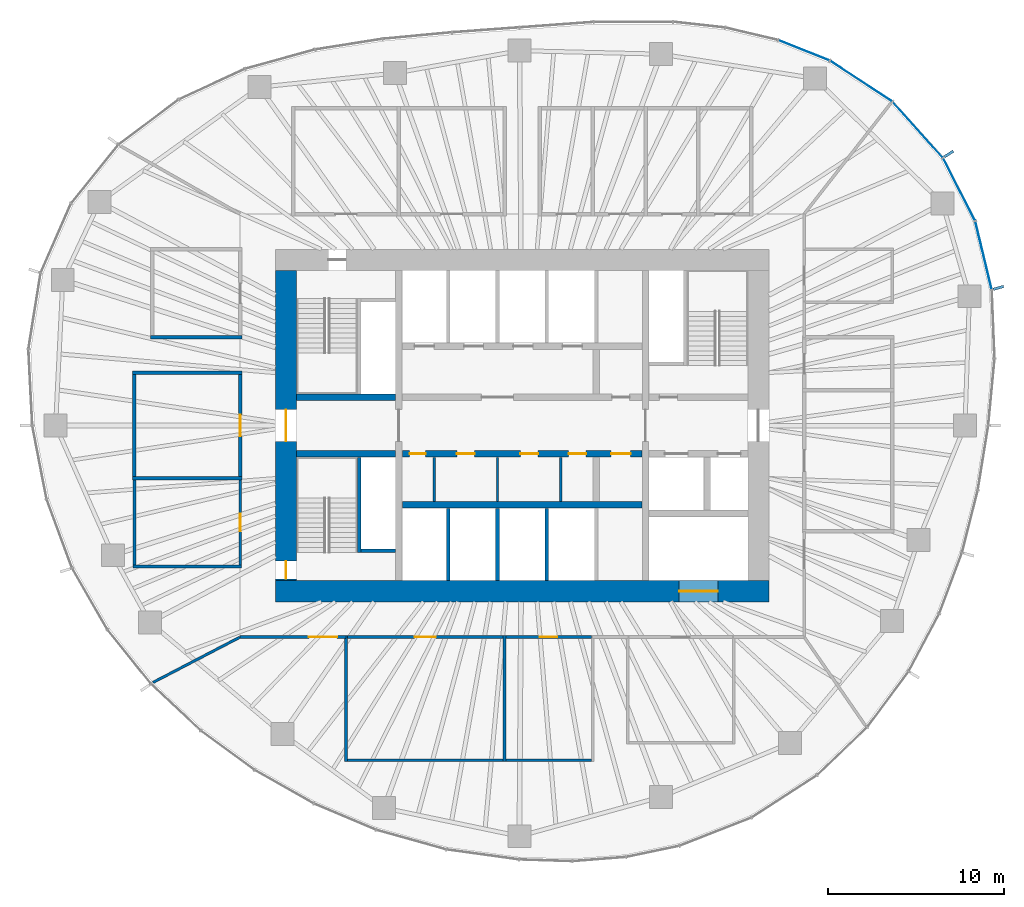
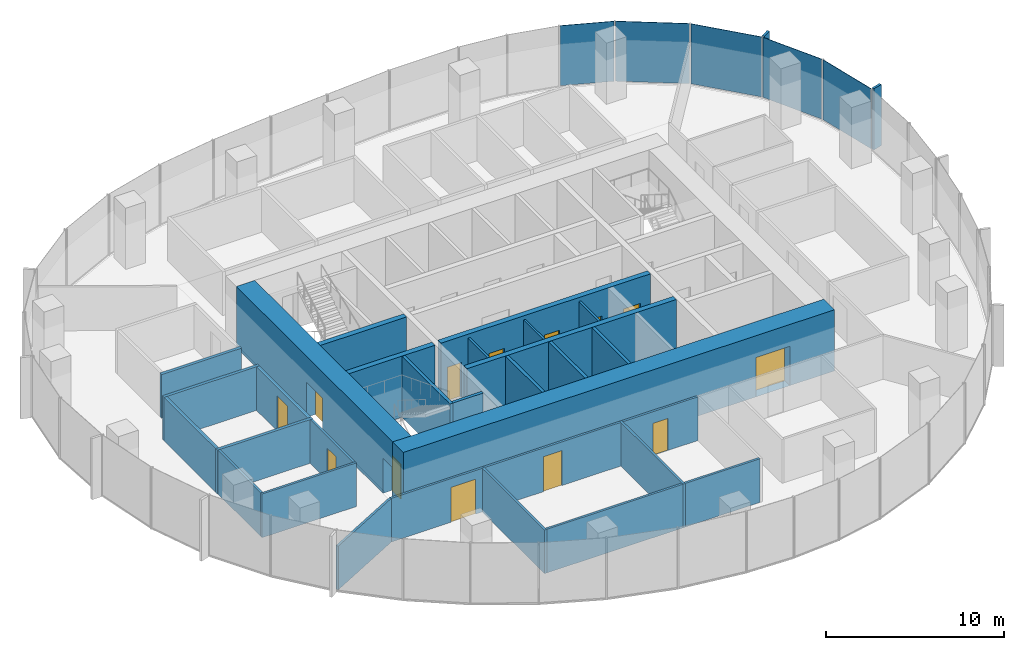
# One storey, part 8 of 11: 30 walls, 13 doors, 7 plates, 13 openings, 3 elements without a shape of their own.
"""IFC4 building model written with IfcOpenShell, lengths in metres."""

from ifc_helpers import new_model, si_unit, direction, frame, frame_2d, origin, origin_2d, place, context, subcontext, project, spatial, rectangle, extrude, material, layer, layer_set, type_object, element, fill, aggregate, save


model = new_model("IFC4")

# Units and contexts
model_context = context("Model", 3, precision=1e-05, world=origin(), true_north=direction((0.0, 1.0)))
body_context = subcontext(model_context, "Body", "Model", "MODEL_VIEW")
ifc_project = project(units=[si_unit("LENGTHUNIT", "METRE"), si_unit("AREAUNIT", "SQUARE_METRE"), si_unit("VOLUMEUNIT", "CUBIC_METRE"), si_unit("PLANEANGLEUNIT", "RADIAN"), si_unit("MASSUNIT", "GRAM", prefix="KILO")], contexts=[model_context])

# Site, building, storey
site_placement = place(None, origin())
site = spatial("IfcSite", under=ifc_project, at=site_placement, CompositionType="ELEMENT")
building_placement = place(site_placement, origin())
building = spatial("IfcBuilding", under=site, at=building_placement, Name="Ghaith Harvest Tower", CompositionType="ELEMENT")
storey_placement = place(building_placement, frame((0.0, 0.0, 211.60009765625)))
storey = spatial("IfcBuildingStorey", under=building, at=storey_placement, Name="L46", CompositionType="ELEMENT", Elevation=211.60009765625)

# Curtain wall, plates
ifc_material_1 = material(Name="Black anodised aluminium and fritted glass", Category="aluminium")
curtain_wall_type = type_object("IfcCurtainWallType", Name="CW-H CURTAIN WALL", PredefinedType="NOTDEFINED", material=ifc_material_1)
curtain_wall_1_placement = place(storey_placement, origin())
curtain_wall_1 = element("IfcCurtainWall", 1, at=curtain_wall_1_placement, inside=storey, type_object=curtain_wall_type, Name="Curtain wall CW-H bay 02 L46", PredefinedType="NOTDEFINED")
ifc_material_2 = material(Name="Glass, dark solar-control fritted double glazed unit", Category="glass")
ifc_layer_1 = layer(ifc_material_2, 0.030029296875)
ifc_layer_set_1 = layer_set([ifc_layer_1], Name="CW-H VISION PANEL")
plate_type_1 = type_object("IfcPlateType", Name="CW-H VISION PANEL", PredefinedType="CURTAIN_PANEL", material=ifc_layer_set_1)
plate_1_placement = place(storey_placement, frame((26.1767578125, 9.6533203125, 0.079833984375), z_axis=(0.0, 0.0, 1.0), x_axis=(-0.233894000303, 0.972262102842, 0.0)))
plate_1 = element("IfcPlate", 2, at=plate_1_placement, type_object=plate_type_1, Name="CW-H glass unit 1 bay 02 L46", PredefinedType="CURTAIN_PANEL", context=body_context, shape_type="SweptSolid", body=[
    extrude(rectangle(XDim=3.935546875, YDim=0.030029296875, at=origin_2d()), origin(), (0.0, 0.0, 1.0), 4.1201171875),
])
plate_2_placement = place(storey_placement, frame((24.790771484375, 13.399658203125, 0.079833984375), z_axis=(0.0, 0.0, 1.0), x_axis=(-0.454915320985, 0.890534699342, 0.0)))
plate_2 = element("IfcPlate", 3, at=plate_2_placement, type_object=plate_type_1, Name="CW-H glass unit 2 bay 02 L46", PredefinedType="CURTAIN_PANEL", context=body_context, shape_type="SweptSolid", body=[
    extrude(rectangle(XDim=3.949462890625, YDim=0.030029296875, at=origin_2d()), origin(), (0.0, 0.0, 1.0), 4.1201171875),
])
aggregate(curtain_wall_1, [plate_1, plate_2])

curtain_wall_2_placement = place(storey_placement, origin())
curtain_wall_2 = element("IfcCurtainWall", 4, at=curtain_wall_2_placement, inside=storey, type_object=curtain_wall_type, Name="Curtain wall CW-H bay 03 L46", PredefinedType="NOTDEFINED")
plate_3_placement = place(storey_placement, frame((22.44384765625, 16.783935546875, 0.079833984375), z_axis=(0.0, 0.0, 1.0), x_axis=(-0.668757736889, 0.743480389352, 0.0)))
plate_3 = element("IfcPlate", 5, at=plate_3_placement, type_object=plate_type_1, Name="CW-H glass unit 1 bay 03 L46", PredefinedType="CURTAIN_PANEL", context=body_context, shape_type="SweptSolid", body=[
    extrude(rectangle(XDim=4.19775390625, YDim=0.030029296875, at=origin_2d()), origin(), (0.0, 0.0, 1.0), 4.1201171875),
])
plate_4_placement = place(storey_placement, frame((19.236328125, 19.539306640625, 0.079833984375), z_axis=(0.0, 0.0, 1.0), x_axis=(-0.836276741583, 0.548307588392, 0.0)))
plate_4 = element("IfcPlate", 6, at=plate_4_placement, type_object=plate_type_1, Name="CW-H glass unit 2 bay 03 L46", PredefinedType="CURTAIN_PANEL", context=body_context, shape_type="SweptSolid", body=[
    extrude(rectangle(XDim=4.169677734375, YDim=0.030029296875, at=origin_2d()), origin(), (0.0, 0.0, 1.0), 4.1201171875),
])
aggregate(curtain_wall_2, [plate_3, plate_4])

# Curtain wall, plate
curtain_wall_3_placement = place(storey_placement, origin())
curtain_wall_3 = element("IfcCurtainWall", 7, at=curtain_wall_3_placement, inside=storey, type_object=curtain_wall_type, Name="Curtain wall CW-H bay 04 L46", PredefinedType="NOTDEFINED")
plate_5_placement = place(storey_placement, frame((15.993408203125, 21.287841796875, 0.079833984375), z_axis=(0.0, 0.0, 1.0), x_axis=(-0.929107322045, 0.369810200133, 0.0)))
plate_5 = element("IfcPlate", 8, at=plate_5_placement, type_object=plate_type_1, Name="CW-H glass unit 1 bay 04 L46", PredefinedType="CURTAIN_PANEL", context=body_context, shape_type="SweptSolid", body=[
    extrude(rectangle(XDim=3.075927734375, YDim=0.030029296875, at=origin_2d()), origin(), (0.0, 0.0, 1.0), 4.1201171875),
])
aggregate(curtain_wall_3, [plate_5])

# Plates
ifc_material_3 = material(Name="Glassfibre-reinforced concrete", Category="concrete")
ifc_layer_2 = layer(ifc_material_3, 0.14990234375)
ifc_layer_set_2 = layer_set([ifc_layer_2], Name="SUN-BREAKER FIN 600x150")
plate_type_2 = type_object("IfcPlateType", Name="SUN-BREAKER FIN 600x150", PredefinedType="USERDEFINED", material=ifc_layer_set_2)
for number, where, z_axis, x_axis, name in (
    (9, (27.03076171875, 7.8125, 0.0), (0.0, 0.0, 1.0), (0.960680349985, 0.277656739792, 0.0), "Sun-breaker fin CW-H 1 bay 02 L46"),
    (10, (24.211669921875, 15.408447265625, 0.0), (0.0, 0.0, 1.0), (0.843643971464, 0.536903016766, 0.0), "Sun-breaker fin CW-H 1 bay 03 L46"),
):
    element("IfcPlate", number, at=place(storey_placement, frame(where, z_axis=z_axis, x_axis=x_axis)), inside=storey, type_object=plate_type_2, Name=name, ObjectType="SUN-BREAKER FIN", PredefinedType="USERDEFINED", context=body_context, shape_type="SweptSolid", body=[
        extrude(rectangle(XDim=0.60009765625, YDim=0.14990234375, at=origin_2d()), origin(), (0.0, 0.0, 1.0), 4.199951171875),
    ])

# Walls
ifc_material_4 = material(Name="Twin-stud gypsum board, acoustic", Category="gypsum")
ifc_layer_3 = layer(ifc_material_4, 0.199951171875)
ifc_layer_set_3 = layer_set([ifc_layer_3], Name="ACOUSTIC PARTITION 200")
wall_type_1 = type_object("IfcWallType", Name="ACOUSTIC PARTITION 200", PredefinedType="PARTITIONING", material=ifc_layer_set_3)
for number, where, z_axis, x_axis, name in (
    (11, (-15.89990234375, -3.0, 0.0), (0.0, 0.0, 1.0), (-1.0, 0.0, 0.0), "Partition L46 row W6 cross wall 2"),
    (12, (-15.89990234375, 3.0, 0.0), (0.0, 0.0, 1.0), (-1.0, 0.0, 0.0), "Partition L46 row W6 cross wall 3"),
):
    element("IfcWall", number, at=place(storey_placement, frame(where, z_axis=z_axis, x_axis=x_axis)), inside=storey, type_object=wall_type_1, Name=name, PredefinedType="PARTITIONING", context=body_context, shape_type="SweptSolid", body=[
        extrude(rectangle(XDim=6.2001953125, YDim=0.199951171875, at=frame_2d((3.10009765625, 0.0))), origin(), (0.0, 0.0, 1.0), 3.0),
    ])

# Wall, opening, door
wall_1_placement = place(storey_placement, frame((-16.0, -2.89990234375, 0.0), z_axis=(0.0, 0.0, 1.0), x_axis=(0.0, 1.0, 0.0)))
wall_1 = element("IfcWall", 13, at=wall_1_placement, inside=storey, type_object=wall_type_1, Name="Partition L46-13", PredefinedType="PARTITIONING", context=body_context, shape_type="SweptSolid", body=[
    extrude(rectangle(XDim=5.7998046875, YDim=0.199951171875, at=frame_2d((2.89990234375, 0.0))), origin(), (0.0, 0.0, 1.0), 3.0),
])
opening_1_placement = place(wall_1_placement, frame((2.300048828125, 0.0, 0.0)))
opening_1 = element("IfcOpeningElement", 14, at=opening_1_placement, cuts=wall_1, Name="Opening 46-034", PredefinedType="OPENING", context=body_context, shape_type="SweptSolid", body=[
    extrude(rectangle(XDim=1.199951171875, YDim=2.39990234375, at=frame_2d((0.60009765625, 1.199951171875))), frame((0.0, 0.10986328125, 0.0), z_axis=(0.0, -1.0, 0.0), x_axis=(1.0, 0.0, 0.0)), (0.0, 0.0, 1.0), 0.219970703125),
])
ifc_material_5 = material(Name="Timber door", Category="wood")
door_type_1 = type_object("IfcDoorType", Name="D11 GLAZED 1200x2400", OperationType="SINGLE_SWING_LEFT", PredefinedType="DOOR", material=ifc_material_5)
door_1_placement = place(opening_1_placement, origin())
door_1 = element("IfcDoor", 15, at=door_1_placement, inside=storey, type_object=door_type_1, Name="Meeting room door", OperationType="SINGLE_SWING_LEFT", OverallHeight=2.39990234375, OverallWidth=1.199951171875, PredefinedType="DOOR", context=body_context, shape_type="SweptSolid", body=[
    extrude(rectangle(XDim=1.199951171875, YDim=2.39990234375, at=frame_2d((0.60009765625, 1.199951171875))), frame((0.0, 0.02490234375, 0.0), z_axis=(0.0, -1.0, 0.0), x_axis=(1.0, 0.0, 0.0)), (0.0, 0.0, 1.0), 0.050048828125),
])
fill(opening_1, door_1)

# Walls
wall_2_placement = place(storey_placement, frame((-22.0, -2.89990234375, 0.0), z_axis=(0.0, 0.0, 1.0), x_axis=(0.0, 1.0, 0.0)))
element("IfcWall", 16, at=wall_2_placement, inside=storey, type_object=wall_type_1, Name="Partition L46-13", PredefinedType="PARTITIONING", context=body_context, shape_type="SweptSolid", body=[
    extrude(rectangle(XDim=5.7998046875, YDim=0.199951171875, at=frame_2d((2.89990234375, 0.0))), origin(), (0.0, 0.0, 1.0), 3.0),
])
wall_3_placement = place(storey_placement, frame((-15.89990234375, 5.0, 0.0), z_axis=(0.0, 0.0, 1.0), x_axis=(-1.0, 0.0, 0.0)))
element("IfcWall", 17, at=wall_3_placement, inside=storey, type_object=wall_type_1, Name="Partition L46 row W8 cross wall 1", PredefinedType="PARTITIONING", context=body_context, shape_type="SweptSolid", body=[
    extrude(rectangle(XDim=5.2001953125, YDim=0.199951171875, at=frame_2d((2.60009765625, 0.0))), origin(), (0.0, 0.0, 1.0), 3.0),
])
ifc_material_6 = material(Name="Concrete blockwork, fair-faced", Category="masonry")
ifc_layer_4 = layer(ifc_material_6, 0.139892578125)
ifc_layer_set_4 = layer_set([ifc_layer_4], Name="CORE PARTITION 140")
wall_type_2 = type_object("IfcWallType", Name="CORE PARTITION 140", PredefinedType="PARTITIONING", material=ifc_layer_set_4)
for number, where, z_axis, x_axis, name in (
    (18, (-5.0, -1.800048828125, 0.0), (0.0, 0.0, 1.0), (0.0, -1.0, 0.0), "Core partition L46"),
    (19, (-1.39990234375, -1.800048828125, 0.0), (0.0, 0.0, 1.0), (0.0, -1.0, 0.0), "Core partition L46"),
    (20, (2.199951171875, -1.800048828125, 0.0), (0.0, 0.0, 1.0), (0.0, -1.0, 0.0), "Core partition L46"),
):
    element("IfcWall", number, at=place(storey_placement, frame(where, z_axis=z_axis, x_axis=x_axis)), inside=storey, type_object=wall_type_2, Name=name, PredefinedType="PARTITIONING", context=body_context, shape_type="SweptSolid", body=[
        extrude(rectangle(XDim=2.5, YDim=0.139892578125, at=frame_2d((1.25, 0.0))), origin(), (0.0, 0.0, 1.0), 3.949951171875),
    ])

# Wall, opening, door
ifc_material_7 = material(Name="Concrete C60/75", Category="concrete")
ifc_layer_5 = layer(ifc_material_7, 1.199951171875)
ifc_layer_set_5 = layer_set([ifc_layer_5], Name="CORE WALL CW1200 C60")
wall_type_3 = type_object("IfcWallType", Name="CORE WALL CW1200 C60", PredefinedType="SHEAR", material=ifc_layer_set_5)
wall_4_placement = place(storey_placement, frame((-14.0, -9.39990234375, 0.0), z_axis=(0.0, 0.0, 1.0), x_axis=(1.0, 0.0, 0.0)))
wall_4 = element("IfcWall", 21, at=wall_4_placement, inside=storey, type_object=wall_type_3, Name="Core wall S L46", PredefinedType="SHEAR", context=body_context, shape_type="SweptSolid", body=[
    extrude(rectangle(XDim=28.0, YDim=1.199951171875, at=frame_2d((14.0, 0.0))), origin(), (0.0, 0.0, 1.0), 4.199951171875),
])
opening_2_placement = place(wall_4_placement, frame((22.89990234375, 0.0, 0.0)))
opening_2 = element("IfcOpeningElement", 22, at=opening_2_placement, cuts=wall_4, Name="Opening 46-021", PredefinedType="OPENING", context=body_context, shape_type="SweptSolid", body=[
    extrude(rectangle(XDim=2.199951171875, YDim=2.699951171875, at=frame_2d((1.10009765625, 1.35009765625))), frame((0.0, 0.60986328125, 0.0), z_axis=(0.0, -1.0, 0.0), x_axis=(1.0, 0.0, 0.0)), (0.0, 0.0, 1.0), 1.219970703125),
])
ifc_material_8 = material(Name="Steel fire door", Category="steel")
door_type_2 = type_object("IfcDoorType", Name="LD3 LANDING 2200x2700", OperationType="DOUBLE_DOOR_SLIDING", PredefinedType="DOOR", material=ifc_material_8)
door_2_placement = place(opening_2_placement, origin())
door_2 = element("IfcDoor", 23, at=door_2_placement, inside=storey, type_object=door_type_2, Name="Landing door, goods lift GL1", OperationType="DOUBLE_DOOR_SLIDING", OverallHeight=2.699951171875, OverallWidth=2.199951171875, PredefinedType="DOOR", context=body_context, shape_type="SweptSolid", body=[
    extrude(rectangle(XDim=2.199951171875, YDim=2.699951171875, at=frame_2d((1.10009765625, 1.35009765625))), frame((0.0, 0.02490234375, 0.0), z_axis=(0.0, -1.0, 0.0), x_axis=(1.0, 0.0, 0.0)), (0.0, 0.0, 1.0), 0.050048828125),
])
fill(opening_2, door_2)

# Wall, openings, doors
wall_5_placement = place(storey_placement, frame((-13.39990234375, 8.800048828125, 0.0), z_axis=(0.0, 0.0, 1.0), x_axis=(0.0, -1.0, 0.0)))
wall_5 = element("IfcWall", 24, at=wall_5_placement, inside=storey, type_object=wall_type_3, Name="Core wall W L46", PredefinedType="SHEAR", context=body_context, shape_type="SweptSolid", body=[
    extrude(rectangle(XDim=17.60009765625, YDim=1.199951171875, at=frame_2d((8.800048828125, 0.0))), origin(), (0.0, 0.0, 1.0), 4.199951171875),
])
opening_3_placement = place(wall_5_placement, frame((7.89990234375, 0.0, 0.0)))
opening_3 = element("IfcOpeningElement", 25, at=opening_3_placement, cuts=wall_5, Name="Opening 46-001", PredefinedType="OPENING", context=body_context, shape_type="SweptSolid", body=[
    extrude(rectangle(XDim=1.800048828125, YDim=2.39990234375, at=frame_2d((0.89990234375, 1.199951171875))), frame((0.0, 0.60986328125, 0.0), z_axis=(0.0, -1.0, 0.0), x_axis=(1.0, 0.0, 0.0)), (0.0, 0.0, 1.0), 1.219970703125),
])
opening_4_placement = place(wall_5_placement, frame((16.5, 0.0, 0.0)))
opening_4 = element("IfcOpeningElement", 26, at=opening_4_placement, cuts=wall_5, Name="Opening 46-006", PredefinedType="OPENING", context=body_context, shape_type="SweptSolid", body=[
    extrude(rectangle(XDim=1.0, YDim=2.39990234375, at=frame_2d((0.5, 1.199951171875))), frame((0.0, 0.60986328125, 0.0), z_axis=(0.0, -1.0, 0.0), x_axis=(1.0, 0.0, 0.0)), (0.0, 0.0, 1.0), 1.219970703125),
])
ifc_material_9 = material(Name="Steel fire door", Category="steel")
door_type_3 = type_object("IfcDoorType", Name="D3 FD90 1000x2400", OperationType="SINGLE_SWING_LEFT", PredefinedType="DOOR", material=ifc_material_9)
door_3_placement = place(opening_4_placement, origin())
door_3 = element("IfcDoor", 27, at=door_3_placement, inside=storey, type_object=door_type_3, Name="Stair ST3 door", OperationType="SINGLE_SWING_RIGHT", OverallHeight=2.39990234375, OverallWidth=1.0, PredefinedType="DOOR", context=body_context, shape_type="SweptSolid", body=[
    extrude(rectangle(XDim=1.0, YDim=2.39990234375, at=frame_2d((0.5, 1.199951171875))), frame((0.0, 0.02490234375, 0.0), z_axis=(0.0, -1.0, 0.0), x_axis=(1.0, 0.0, 0.0)), (0.0, 0.0, 1.0), 0.050048828125),
])
fill(opening_4, door_3)
ifc_material_10 = material(Name="Steel fire door", Category="steel")
door_type_4 = type_object("IfcDoorType", Name="D4 FD90 PAIR 1800x2400", OperationType="DOUBLE_DOOR_SINGLE_SWING", PredefinedType="DOOR", material=ifc_material_10)
door_4_placement = place(opening_3_placement, origin())
door_4 = element("IfcDoor", 28, at=door_4_placement, inside=storey, type_object=door_type_4, Name="West lobby doors", OperationType="DOUBLE_DOOR_SINGLE_SWING", OverallHeight=2.39990234375, OverallWidth=1.800048828125, PredefinedType="DOOR", context=body_context, shape_type="SweptSolid", body=[
    extrude(rectangle(XDim=1.800048828125, YDim=2.39990234375, at=frame_2d((0.89990234375, 1.199951171875))), frame((0.0, 0.02490234375, 0.0), z_axis=(0.0, -1.0, 0.0), x_axis=(1.0, 0.0, 0.0)), (0.0, 0.0, 1.0), 0.050048828125),
])
fill(opening_3, door_4)

# Walls
ifc_material_11 = material(Name="Concrete blockwork, 2-hour", Category="masonry")
ifc_layer_6 = layer(ifc_material_11, 0.199951171875)
ifc_layer_set_6 = layer_set([ifc_layer_6], Name="LIFT SHAFT WALL 200")
wall_type_4 = type_object("IfcWallType", Name="LIFT SHAFT WALL 200", PredefinedType="PARTITIONING", material=ifc_layer_set_6)
for number, where, z_axis, x_axis, name in (
    (29, (-4.199951171875, -4.699951171875, 0.0), (0.0, 0.0, 1.0), (0.0, -1.0, 0.0), "Lift shaft wall L46"),
    (30, (-1.39990234375, -4.699951171875, 0.0), (0.0, 0.0, 1.0), (0.0, -1.0, 0.0), "Lift shaft wall L46"),
    (31, (1.39990234375, -4.699951171875, 0.0), (0.0, 0.0, 1.0), (0.0, -1.0, 0.0), "Lift shaft wall L46"),
):
    element("IfcWall", number, at=place(storey_placement, frame(where, z_axis=z_axis, x_axis=x_axis)), inside=storey, type_object=wall_type_4, Name=name, PredefinedType="PARTITIONING", context=body_context, shape_type="SweptSolid", body=[
        extrude(rectangle(XDim=4.10009765625, YDim=0.199951171875, at=frame_2d((2.050048828125, 0.0))), origin(), (0.0, 0.0, 1.0), 4.199951171875),
    ])
ifc_material_12 = material(Name="Gypsum board on steel studs", Category="steel")
ifc_layer_7 = layer(ifc_material_12, 0.14990234375)
ifc_layer_set_7 = layer_set([ifc_layer_7], Name="PARTITION 150")
wall_type_5 = type_object("IfcWallType", Name="PARTITION 150", PredefinedType="PARTITIONING", material=ifc_layer_set_7)
for number, where, z_axis, x_axis, name in (
    (32, (-10.0, -11.925048828125, 0.0), (0.0, 0.0, 1.0), (0.0, -1.0, 0.0), "Partition L46 row S3 cross wall 1"),
    (33, (-1.0, -11.925048828125, 0.0), (0.0, 0.0, 1.0), (0.0, -1.0, 0.0), "Partition L46 row S3 cross wall 2"),
):
    element("IfcWall", number, at=place(storey_placement, frame(where, z_axis=z_axis, x_axis=x_axis)), inside=storey, type_object=wall_type_5, Name=name, PredefinedType="PARTITIONING", context=body_context, shape_type="SweptSolid", body=[
        extrude(rectangle(XDim=7.14990234375, YDim=0.14990234375, at=frame_2d((3.574951171875, 0.0))), origin(), (0.0, 0.0, 1.0), 3.0),
    ])

# Wall, opening, door
wall_6_placement = place(storey_placement, frame((-9.925048828125, -12.0, 0.0), z_axis=(0.0, 0.0, 1.0), x_axis=(1.0, 0.0, 0.0)))
wall_6 = element("IfcWall", 34, at=wall_6_placement, inside=storey, type_object=wall_type_5, Name="Partition L46-07", PredefinedType="PARTITIONING", context=body_context, shape_type="SweptSolid", body=[
    extrude(rectangle(XDim=8.85009765625, YDim=0.14990234375, at=frame_2d((4.425048828125, 0.0))), origin(), (0.0, 0.0, 1.0), 3.0),
])
opening_5_placement = place(wall_6_placement, frame((3.824951171875, 0.0, 0.0)))
opening_5 = element("IfcOpeningElement", 35, at=opening_5_placement, cuts=wall_6, Name="Opening 46-028", PredefinedType="OPENING", context=body_context, shape_type="SweptSolid", body=[
    extrude(rectangle(XDim=1.199951171875, YDim=2.39990234375, at=frame_2d((0.60009765625, 1.199951171875))), frame((0.0, 0.0849609375, 0.0), z_axis=(0.0, -1.0, 0.0), x_axis=(1.0, 0.0, 0.0)), (0.0, 0.0, 1.0), 0.169921875),
])
door_5_placement = place(opening_5_placement, origin())
door_5 = element("IfcDoor", 36, at=door_5_placement, inside=storey, type_object=door_type_1, Name="Model studio door", OperationType="SINGLE_SWING_LEFT", OverallHeight=2.39990234375, OverallWidth=1.199951171875, PredefinedType="DOOR", context=body_context, shape_type="SweptSolid", body=[
    extrude(rectangle(XDim=1.199951171875, YDim=2.39990234375, at=frame_2d((0.60009765625, 1.199951171875))), frame((0.0, 0.02490234375, 0.0), z_axis=(0.0, -1.0, 0.0), x_axis=(1.0, 0.0, 0.0)), (0.0, 0.0, 1.0), 0.050048828125),
])
fill(opening_5, door_5)

# Wall
wall_7_placement = place(storey_placement, frame((-9.925048828125, -19.0, 0.0), z_axis=(0.0, 0.0, 1.0), x_axis=(1.0, 0.0, 0.0)))
element("IfcWall", 37, at=wall_7_placement, inside=storey, type_object=wall_type_5, Name="Partition L46-07", PredefinedType="PARTITIONING", context=body_context, shape_type="SweptSolid", body=[
    extrude(rectangle(XDim=8.85009765625, YDim=0.14990234375, at=frame_2d((4.425048828125, 0.0))), origin(), (0.0, 0.0, 1.0), 3.0),
])

# Wall, opening, door
wall_8_placement = place(storey_placement, frame((-0.925048828125, -12.0, 0.0), z_axis=(0.0, 0.0, 1.0), x_axis=(1.0, 0.0, 0.0)))
wall_8 = element("IfcWall", 38, at=wall_8_placement, inside=storey, type_object=wall_type_5, Name="Partition L46-08", PredefinedType="PARTITIONING", context=body_context, shape_type="SweptSolid", body=[
    extrude(rectangle(XDim=4.85009765625, YDim=0.14990234375, at=frame_2d((2.425048828125, 0.0))), origin(), (0.0, 0.0, 1.0), 3.0),
])
opening_6_placement = place(wall_8_placement, frame((1.925048828125, 0.0, 0.0)))
opening_6 = element("IfcOpeningElement", 39, at=opening_6_placement, cuts=wall_8, Name="Opening 46-029", PredefinedType="OPENING", context=body_context, shape_type="SweptSolid", body=[
    extrude(rectangle(XDim=1.0, YDim=2.199951171875, at=frame_2d((0.5, 1.10009765625))), frame((0.0, 0.0849609375, 0.0), z_axis=(0.0, -1.0, 0.0), x_axis=(1.0, 0.0, 0.0)), (0.0, 0.0, 1.0), 0.169921875),
])
ifc_material_13 = material(Name="Timber door", Category="wood")
door_type_5 = type_object("IfcDoorType", Name="D1 SINGLE 1000x2200", OperationType="SINGLE_SWING_LEFT", PredefinedType="DOOR", material=ifc_material_13)
door_6_placement = place(opening_6_placement, origin())
door_6 = element("IfcDoor", 40, at=door_6_placement, inside=storey, type_object=door_type_5, Name="Store door", OperationType="SINGLE_SWING_LEFT", OverallHeight=2.199951171875, OverallWidth=1.0, PredefinedType="DOOR", context=body_context, shape_type="SweptSolid", body=[
    extrude(rectangle(XDim=1.0, YDim=2.199951171875, at=frame_2d((0.5, 1.10009765625))), frame((0.0, 0.02490234375, 0.0), z_axis=(0.0, -1.0, 0.0), x_axis=(1.0, 0.0, 0.0)), (0.0, 0.0, 1.0), 0.050048828125),
])
fill(opening_6, door_6)

# Walls
wall_9_placement = place(storey_placement, frame((-0.925048828125, -19.0, 0.0), z_axis=(0.0, 0.0, 1.0), x_axis=(1.0, 0.0, 0.0)))
element("IfcWall", 41, at=wall_9_placement, inside=storey, type_object=wall_type_5, Name="Partition L46-08", PredefinedType="PARTITIONING", context=body_context, shape_type="SweptSolid", body=[
    extrude(rectangle(XDim=4.85009765625, YDim=0.14990234375, at=frame_2d((2.425048828125, 0.0))), origin(), (0.0, 0.0, 1.0), 3.0),
])
wall_10_placement = place(storey_placement, frame((-15.925048828125, -8.0, 0.0), z_axis=(0.0, 0.0, 1.0), x_axis=(-1.0, 0.0, 0.0)))
element("IfcWall", 42, at=wall_10_placement, inside=storey, type_object=wall_type_5, Name="Partition L46 row W6 cross wall 1", PredefinedType="PARTITIONING", context=body_context, shape_type="SweptSolid", body=[
    extrude(rectangle(XDim=6.14990234375, YDim=0.14990234375, at=frame_2d((3.074951171875, 0.0))), origin(), (0.0, 0.0, 1.0), 3.0),
])

# Wall, opening, door
wall_11_placement = place(storey_placement, frame((-16.0, -7.925048828125, 0.0), z_axis=(0.0, 0.0, 1.0), x_axis=(0.0, 1.0, 0.0)))
wall_11 = element("IfcWall", 43, at=wall_11_placement, inside=storey, type_object=wall_type_5, Name="Partition L46-12", PredefinedType="PARTITIONING", context=body_context, shape_type="SweptSolid", body=[
    extrude(rectangle(XDim=4.824951171875, YDim=0.14990234375, at=frame_2d((2.41259765625, 0.0))), origin(), (0.0, 0.0, 1.0), 3.0),
])
opening_7_placement = place(wall_11_placement, frame((1.91259765625, 0.0, 0.0)))
opening_7 = element("IfcOpeningElement", 44, at=opening_7_placement, cuts=wall_11, Name="Opening 46-033", PredefinedType="OPENING", context=body_context, shape_type="SweptSolid", body=[
    extrude(rectangle(XDim=1.0, YDim=2.199951171875, at=frame_2d((0.5, 1.10009765625))), frame((0.0, 0.0849609375, 0.0), z_axis=(0.0, -1.0, 0.0), x_axis=(1.0, 0.0, 0.0)), (0.0, 0.0, 1.0), 0.169921875),
])
door_7_placement = place(opening_7_placement, origin())
door_7 = element("IfcDoor", 45, at=door_7_placement, inside=storey, type_object=door_type_5, Name="Print room door", OperationType="SINGLE_SWING_LEFT", OverallHeight=2.199951171875, OverallWidth=1.0, PredefinedType="DOOR", context=body_context, shape_type="SweptSolid", body=[
    extrude(rectangle(XDim=1.0, YDim=2.199951171875, at=frame_2d((0.5, 1.10009765625))), frame((0.0, 0.02490234375, 0.0), z_axis=(0.0, -1.0, 0.0), x_axis=(1.0, 0.0, 0.0)), (0.0, 0.0, 1.0), 0.050048828125),
])
fill(opening_7, door_7)

# Walls
wall_12_placement = place(storey_placement, frame((-22.0, -7.925048828125, 0.0), z_axis=(0.0, 0.0, 1.0), x_axis=(0.0, 1.0, 0.0)))
element("IfcWall", 46, at=wall_12_placement, inside=storey, type_object=wall_type_5, Name="Partition L46-12", PredefinedType="PARTITIONING", context=body_context, shape_type="SweptSolid", body=[
    extrude(rectangle(XDim=4.824951171875, YDim=0.14990234375, at=frame_2d((2.41259765625, 0.0))), origin(), (0.0, 0.0, 1.0), 3.0),
])
wall_13_placement = place(storey_placement, frame((-16.017578125, -12.00927734375, 0.0), z_axis=(0.0, 0.0, 1.0), x_axis=(-0.886831549241, -0.462092851351, 0.0)))
element("IfcWall", 47, at=wall_13_placement, inside=storey, type_object=wall_type_5, Name="Partition L46 zone division", PredefinedType="PARTITIONING", context=body_context, shape_type="SweptSolid", body=[
    extrude(rectangle(XDim=5.555419921875, YDim=0.14990234375, at=frame_2d((2.77783203125, 0.0))), origin(), (0.0, 0.0, 1.0), 3.0),
])

# Wall, opening, door
wall_14_placement = place(storey_placement, frame((-16.0, -12.0, 0.0), z_axis=(0.0, 0.0, 1.0), x_axis=(1.0, 0.0, 0.0)))
wall_14 = element("IfcWall", 48, at=wall_14_placement, inside=storey, type_object=wall_type_5, Name="Partition L46 zone enclosure", PredefinedType="PARTITIONING", context=body_context, shape_type="SweptSolid", body=[
    extrude(rectangle(XDim=6.0, YDim=0.14990234375, at=frame_2d((3.0, 0.0))), origin(), (0.0, 0.0, 1.0), 3.0),
])
opening_8_placement = place(wall_14_placement, frame((3.89990234375, 0.0, 0.0)))
opening_8 = element("IfcOpeningElement", 49, at=opening_8_placement, cuts=wall_14, Name="Opening 46-038", PredefinedType="OPENING", context=body_context, shape_type="SweptSolid", body=[
    extrude(rectangle(XDim=1.60009765625, YDim=2.39990234375, at=frame_2d((0.800048828125, 1.199951171875))), frame((0.0, 0.0849609375, 0.0), z_axis=(0.0, -1.0, 0.0), x_axis=(1.0, 0.0, 0.0)), (0.0, 0.0, 1.0), 0.169921875),
])
ifc_material_14 = material(Name="Timber door", Category="wood")
door_type_6 = type_object("IfcDoorType", Name="D2 PAIR 1600x2400", OperationType="DOUBLE_DOOR_SINGLE_SWING", PredefinedType="DOOR", material=ifc_material_14)
door_8_placement = place(opening_8_placement, origin())
door_8 = element("IfcDoor", 50, at=door_8_placement, inside=storey, type_object=door_type_6, Name="Engineering studio south door", OperationType="DOUBLE_DOOR_SINGLE_SWING", OverallHeight=2.39990234375, OverallWidth=1.60009765625, PredefinedType="DOOR", context=body_context, shape_type="SweptSolid", body=[
    extrude(rectangle(XDim=1.60009765625, YDim=2.39990234375, at=frame_2d((0.800048828125, 1.199951171875))), frame((0.0, 0.02490234375, 0.0), z_axis=(0.0, -1.0, 0.0), x_axis=(1.0, 0.0, 0.0)), (0.0, 0.0, 1.0), 0.050048828125),
])
fill(opening_8, door_8)

# Wall, openings, doors
ifc_material_15 = material(Name="Concrete C60/75", Category="concrete")
ifc_layer_8 = layer(ifc_material_15, 0.35009765625)
ifc_layer_set_8 = layer_set([ifc_layer_8], Name="SHAFT WALL 350")
wall_type_6 = type_object("IfcWallType", Name="SHAFT WALL 350", PredefinedType="SHEAR", material=ifc_layer_set_8)
wall_15_placement = place(storey_placement, frame((-6.800048828125, -1.60009765625, 0.0), z_axis=(0.0, 0.0, 1.0), x_axis=(1.0, 0.0, 0.0)))
wall_15 = element("IfcWall", 51, at=wall_15_placement, inside=storey, type_object=wall_type_6, Name="Shaft wall LS L46", PredefinedType="SHEAR", context=body_context, shape_type="SweptSolid", body=[
    extrude(rectangle(XDim=13.60009765625, YDim=0.35009765625, at=frame_2d((6.800048828125, 0.0))), origin(), (0.0, 0.0, 1.0), 4.199951171875),
])
opening_9_placement = place(wall_15_placement, frame((0.4150390625, 0.0, 0.0)))
opening_9 = element("IfcOpeningElement", 52, at=opening_9_placement, cuts=wall_15, Name="Opening 46-008", PredefinedType="OPENING", context=body_context, shape_type="SweptSolid", body=[
    extrude(rectangle(XDim=0.89990234375, YDim=2.39990234375, at=frame_2d((0.449951171875, 1.199951171875))), frame((0.0, 0.18505859375, 0.0), z_axis=(0.0, -1.0, 0.0), x_axis=(1.0, 0.0, 0.0)), (0.0, 0.0, 1.0), 0.3701171875),
])
opening_10_placement = place(wall_15_placement, frame((3.10009765625, 0.0, 0.0)))
opening_10 = element("IfcOpeningElement", 53, at=opening_10_placement, cuts=wall_15, Name="Opening 46-009", PredefinedType="OPENING", context=body_context, shape_type="SweptSolid", body=[
    extrude(rectangle(XDim=1.0, YDim=2.39990234375, at=frame_2d((0.5, 1.199951171875))), frame((0.0, 0.18505859375, 0.0), z_axis=(0.0, -1.0, 0.0), x_axis=(1.0, 0.0, 0.0)), (0.0, 0.0, 1.0), 0.3701171875),
])
opening_11_placement = place(wall_15_placement, frame((6.699951171875, 0.0, 0.0)))
opening_11 = element("IfcOpeningElement", 54, at=opening_11_placement, cuts=wall_15, Name="Opening 46-010", PredefinedType="OPENING", context=body_context, shape_type="SweptSolid", body=[
    extrude(rectangle(XDim=1.0, YDim=2.39990234375, at=frame_2d((0.5, 1.199951171875))), frame((0.0, 0.18505859375, 0.0), z_axis=(0.0, -1.0, 0.0), x_axis=(1.0, 0.0, 0.0)), (0.0, 0.0, 1.0), 0.3701171875),
])
opening_12_placement = place(wall_15_placement, frame((9.43505859375, 0.0, 0.0)))
opening_12 = element("IfcOpeningElement", 55, at=opening_12_placement, cuts=wall_15, Name="Opening 46-011", PredefinedType="OPENING", context=body_context, shape_type="SweptSolid", body=[
    extrude(rectangle(XDim=1.0, YDim=2.39990234375, at=frame_2d((0.5, 1.199951171875))), frame((0.0, 0.18505859375, 0.0), z_axis=(0.0, -1.0, 0.0), x_axis=(1.0, 0.0, 0.0)), (0.0, 0.0, 1.0), 0.3701171875),
])
opening_13_placement = place(wall_15_placement, frame((11.85009765625, 0.0, 0.0)))
opening_13 = element("IfcOpeningElement", 56, at=opening_13_placement, cuts=wall_15, Name="Opening 46-013", PredefinedType="OPENING", context=body_context, shape_type="SweptSolid", body=[
    extrude(rectangle(XDim=1.10009765625, YDim=2.39990234375, at=frame_2d((0.550048828125, 1.199951171875))), frame((0.0, 0.18505859375, 0.0), z_axis=(0.0, -1.0, 0.0), x_axis=(1.0, 0.0, 0.0)), (0.0, 0.0, 1.0), 0.3701171875),
])
door_9_placement = place(opening_10_placement, origin())
door_9 = element("IfcDoor", 57, at=door_9_placement, inside=storey, type_object=door_type_3, Name="Male WC door", OperationType="SINGLE_SWING_LEFT", OverallHeight=2.39990234375, OverallWidth=1.0, PredefinedType="DOOR", context=body_context, shape_type="SweptSolid", body=[
    extrude(rectangle(XDim=1.0, YDim=2.39990234375, at=frame_2d((0.5, 1.199951171875))), frame((0.0, 0.02490234375, 0.0), z_axis=(0.0, -1.0, 0.0), x_axis=(1.0, 0.0, 0.0)), (0.0, 0.0, 1.0), 0.050048828125),
])
fill(opening_10, door_9)
door_10_placement = place(opening_11_placement, origin())
door_10 = element("IfcDoor", 58, at=door_10_placement, inside=storey, type_object=door_type_3, Name="Female WC door", OperationType="SINGLE_SWING_RIGHT", OverallHeight=2.39990234375, OverallWidth=1.0, PredefinedType="DOOR", context=body_context, shape_type="SweptSolid", body=[
    extrude(rectangle(XDim=1.0, YDim=2.39990234375, at=frame_2d((0.5, 1.199951171875))), frame((0.0, 0.02490234375, 0.0), z_axis=(0.0, -1.0, 0.0), x_axis=(1.0, 0.0, 0.0)), (0.0, 0.0, 1.0), 0.050048828125),
])
fill(opening_11, door_10)
door_11_placement = place(opening_12_placement, origin())
door_11 = element("IfcDoor", 59, at=door_11_placement, inside=storey, type_object=door_type_3, Name="Tea point door", OperationType="SINGLE_SWING_RIGHT", OverallHeight=2.39990234375, OverallWidth=1.0, PredefinedType="DOOR", context=body_context, shape_type="SweptSolid", body=[
    extrude(rectangle(XDim=1.0, YDim=2.39990234375, at=frame_2d((0.5, 1.199951171875))), frame((0.0, 0.02490234375, 0.0), z_axis=(0.0, -1.0, 0.0), x_axis=(1.0, 0.0, 0.0)), (0.0, 0.0, 1.0), 0.050048828125),
])
fill(opening_12, door_11)
ifc_material_16 = material(Name="Steel fire door", Category="steel")
door_type_7 = type_object("IfcDoorType", Name="D5 FD90 900x2400", OperationType="SINGLE_SWING_LEFT", PredefinedType="DOOR", material=ifc_material_16)
door_12_placement = place(opening_9_placement, origin())
door_12 = element("IfcDoor", 60, at=door_12_placement, inside=storey, type_object=door_type_7, Name="Cleaner's store door", OperationType="SINGLE_SWING_LEFT", OverallHeight=2.39990234375, OverallWidth=0.89990234375, PredefinedType="DOOR", context=body_context, shape_type="SweptSolid", body=[
    extrude(rectangle(XDim=0.89990234375, YDim=2.39990234375, at=frame_2d((0.449951171875, 1.199951171875))), frame((0.0, 0.02490234375, 0.0), z_axis=(0.0, -1.0, 0.0), x_axis=(1.0, 0.0, 0.0)), (0.0, 0.0, 1.0), 0.050048828125),
])
fill(opening_9, door_12)
ifc_material_17 = material(Name="Steel fire door", Category="steel")
door_type_8 = type_object("IfcDoorType", Name="D9 FD90 1100x2400", OperationType="SINGLE_SWING_LEFT", PredefinedType="DOOR", material=ifc_material_17)
door_13_placement = place(opening_13_placement, origin())
door_13 = element("IfcDoor", 61, at=door_13_placement, inside=storey, type_object=door_type_8, Name="Accessible WC door", OperationType="SINGLE_SWING_RIGHT", OverallHeight=2.39990234375, OverallWidth=1.10009765625, PredefinedType="DOOR", context=body_context, shape_type="SweptSolid", body=[
    extrude(rectangle(XDim=1.10009765625, YDim=2.39990234375, at=frame_2d((0.550048828125, 1.199951171875))), frame((0.0, 0.02490234375, 0.0), z_axis=(0.0, -1.0, 0.0), x_axis=(1.0, 0.0, 0.0)), (0.0, 0.0, 1.0), 0.050048828125),
])
fill(opening_13, door_13)

# Walls
wall_16_placement = place(storey_placement, frame((-6.800048828125, -4.5, 0.0), z_axis=(0.0, 0.0, 1.0), x_axis=(1.0, 0.0, 0.0)))
element("IfcWall", 62, at=wall_16_placement, inside=storey, type_object=wall_type_6, Name="Shaft wall BS L46", PredefinedType="SHEAR", context=body_context, shape_type="SweptSolid", body=[
    extrude(rectangle(XDim=13.60009765625, YDim=0.35009765625, at=frame_2d((6.800048828125, 0.0))), origin(), (0.0, 0.0, 1.0), 4.199951171875),
])
for number, where, z_axis, x_axis, name in (
    (63, (-12.800048828125, 1.60009765625, 0.0), (0.0, 0.0, 1.0), (1.0, 0.0, 0.0), "Shaft wall WN L46"),
    (64, (-12.800048828125, -1.60009765625, 0.0), (0.0, 0.0, 1.0), (1.0, 0.0, 0.0), "Shaft wall WS L46"),
):
    element("IfcWall", number, at=place(storey_placement, frame(where, z_axis=z_axis, x_axis=x_axis)), inside=storey, type_object=wall_type_6, Name=name, PredefinedType="SHEAR", context=body_context, shape_type="SweptSolid", body=[
        extrude(rectangle(XDim=5.60009765625, YDim=0.35009765625, at=frame_2d((2.800048828125, 0.0))), origin(), (0.0, 0.0, 1.0), 4.199951171875),
    ])
ifc_material_18 = material(Name="Concrete C40/50", Category="concrete")
ifc_layer_9 = layer(ifc_material_18, 0.199951171875)
ifc_layer_set_9 = layer_set([ifc_layer_9], Name="STAIR SPINE WALL RC200")
wall_type_7 = type_object("IfcWallType", Name="STAIR SPINE WALL RC200", PredefinedType="SOLIDWALL", material=ifc_layer_set_9)
wall_17_placement = place(storey_placement, frame((-9.25, -7.199951171875, 0.0), z_axis=(0.0, 0.0, 1.0), x_axis=(0.0, 1.0, 0.0)))
element("IfcWall", 65, at=wall_17_placement, inside=storey, type_object=wall_type_7, Name="Stair ST3 spine wall L46", PredefinedType="SOLIDWALL", context=body_context, shape_type="SweptSolid", body=[
    extrude(rectangle(XDim=5.39990234375, YDim=0.199951171875, at=frame_2d((2.699951171875, 0.0))), origin(), (0.0, 0.0, 1.0), 4.199951171875),
])
wall_18_placement = place(storey_placement, frame((-9.14990234375, -7.10009765625, 0.0), z_axis=(0.0, 0.0, 1.0), x_axis=(1.0, 0.0, 0.0)))
element("IfcWall", 66, at=wall_18_placement, inside=storey, type_object=wall_type_7, Name="Stair ST3 spine wall return L46", PredefinedType="SOLIDWALL", context=body_context, shape_type="SweptSolid", body=[
    extrude(rectangle(XDim=1.949951171875, YDim=0.199951171875, at=frame_2d((0.97509765625, 0.0))), origin(), (0.0, 0.0, 1.0), 4.199951171875),
])

save(model, "model.ifc")
